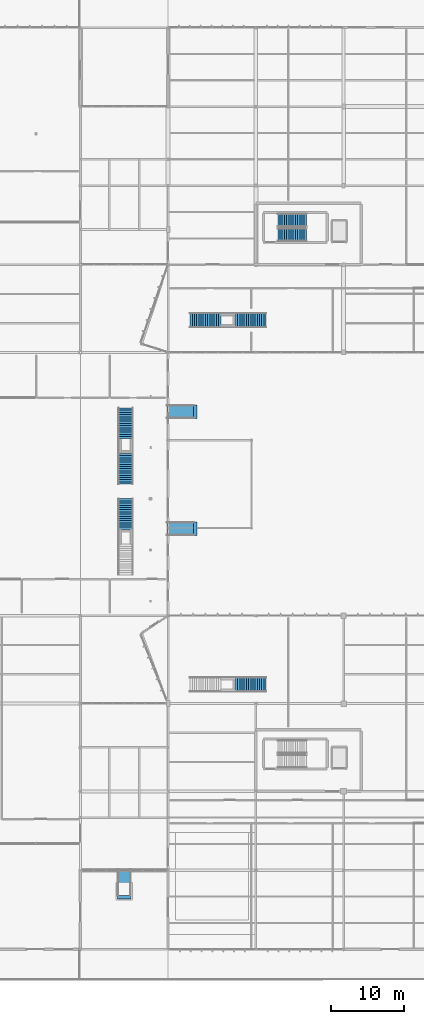
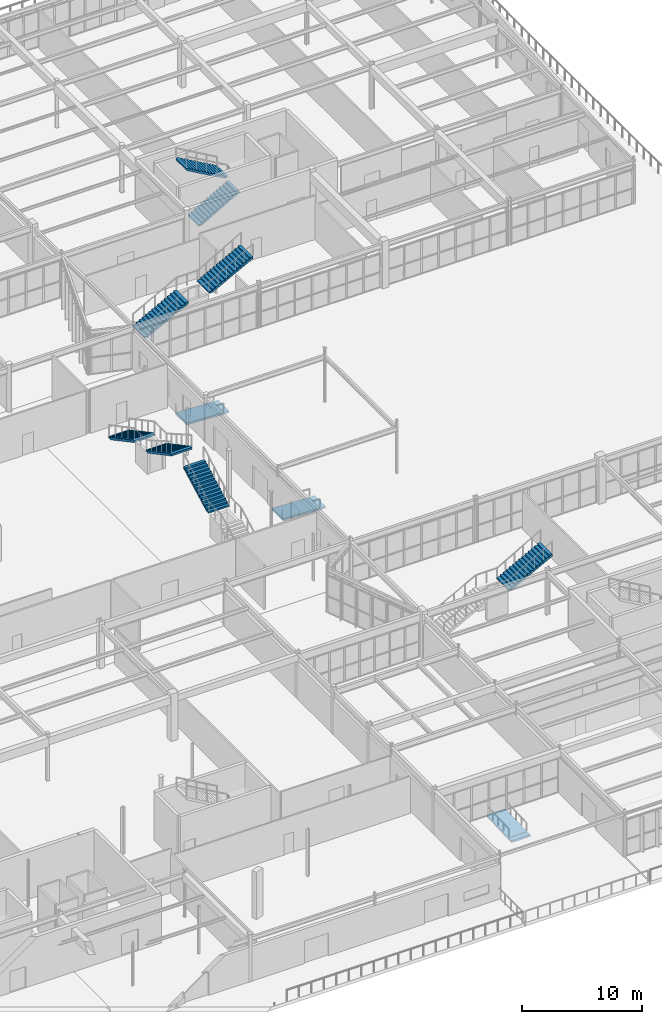
# One storey, part 175 of 199: 8 stair flights, 3 ramps, 3 ramp flights, 5 elements without a shape of their own.
"""IFC4 building model written with IfcOpenShell, lengths in metres."""

from ifc_helpers import new_model, si_unit, direction, frame, origin, origin_2d, place, context, subcontext, project, spatial, polyline, rectangle, outline, extrude, material, layer, layer_set, type_object, element, aggregate, save


model = new_model("IFC4")

# Units and contexts
model_context = context("Model", 3, precision=1e-05, world=origin(), true_north=direction((0.0, 1.0)))
body_context = subcontext(model_context, "Body", "Model", "MODEL_VIEW")
ifc_project = project(units=[si_unit("LENGTHUNIT", "METRE"), si_unit("AREAUNIT", "SQUARE_METRE"), si_unit("VOLUMEUNIT", "CUBIC_METRE"), si_unit("PLANEANGLEUNIT", "RADIAN"), si_unit("MASSUNIT", "GRAM", prefix="KILO")], contexts=[model_context])

# Site, building, storey
site_placement = place(None, origin())
site = spatial("IfcSite", under=ifc_project, at=site_placement, CompositionType="ELEMENT")
building_placement = place(site_placement, origin())
building = spatial("IfcBuilding", under=site, at=building_placement, Name="Tarnwether General Hospital", CompositionType="ELEMENT")
storey_placement = place(building_placement, origin())
storey = spatial("IfcBuildingStorey", under=building, at=storey_placement, Name="L00", CompositionType="ELEMENT", Elevation=0.0)

# Stair, stair flights
ifc_material_1 = material(Name="Concrete 40 MPa", Category="concrete")
stair_type_1 = type_object("IfcStairType", Name="ST-DL48B", PredefinedType="HALF_TURN_STAIR", material=ifc_material_1)
stair_1_placement = place(storey_placement, origin())
stair_1 = element("IfcStair", 1, at=stair_1_placement, inside=storey, type_object=stair_type_1, Name="L00 Exit Stair ST-06", PredefinedType="HALF_TURN_STAIR")
ifc_material_2 = material(Name="Concrete 40 MPa", Category="concrete")
stair_flight_type_1 = type_object("IfcStairFlightType", Name="SF-48B", PredefinedType="STRAIGHT", material=ifc_material_2)
stair_flight_1_placement = place(storey_placement, frame((159.0, 97.699951171875, 0.0), z_axis=(0.0, 0.0, 1.0), x_axis=(1.0, 0.0, 0.0)))
stair_flight_1 = element("IfcStairFlight", 2, at=stair_flight_1_placement, type_object=stair_flight_type_1, Name="ST-06 flight 1", NumberOfRisers=14, NumberOfTreads=13, PredefinedType="STRAIGHT", RiserHeight=0.171428571, TreadLength=0.3, context=body_context, shape_type="SweptSolid", body=[
    extrude(outline(polyline([(0.0, 0.0), (0.0, 0.17138671875), (0.300048828125, 0.17138671875), (0.300048828125, 0.3427734375), (0.60009765625, 0.3427734375), (0.60009765625, 0.514404296875), (0.89990234375, 0.514404296875), (0.89990234375, 0.685791015625), (1.199951171875, 0.685791015625), (1.199951171875, 0.857177734375), (1.5, 0.857177734375), (1.5, 1.028564453125), (1.800048828125, 1.028564453125), (1.800048828125, 1.199951171875), (2.10009765625, 1.199951171875), (2.10009765625, 1.371337890625), (2.39990234375, 1.371337890625), (2.39990234375, 1.54296875), (2.699951171875, 1.54296875), (2.699951171875, 1.71435546875), (3.0, 1.71435546875), (3.0, 1.8857421875), (3.300048828125, 1.8857421875), (3.300048828125, 2.05712890625), (3.60009765625, 2.05712890625), (3.60009765625, 2.228515625), (3.89990234375, 2.228515625), (3.89990234375, 2.39990234375), (3.89990234375, 2.055908203125), (0.30224609375, 0.0), (0.0, 0.0)])), frame((0.0, 0.89990234375, 0.0), z_axis=(0.0, -1.0, 0.0), x_axis=(1.0, 0.0, 0.0)), (0.0, 0.0, 1.0), 1.800048828125),
])
stair_flight_2_placement = place(storey_placement, frame((162.89990234375, 99.699951171875, 2.39990234375), z_axis=(0.0, 0.0, 1.0), x_axis=(-1.0, 0.0, 0.0)))
stair_flight_2 = element("IfcStairFlight", 3, at=stair_flight_2_placement, type_object=stair_flight_type_1, Name="ST-06 flight 2", NumberOfRisers=14, NumberOfTreads=13, PredefinedType="STRAIGHT", RiserHeight=0.171428571, TreadLength=0.3, context=body_context, shape_type="SweptSolid", body=[
    extrude(outline(polyline([(0.0, 0.0), (0.0, 0.17138671875), (0.300048828125, 0.17138671875), (0.300048828125, 0.3427734375), (0.60009765625, 0.3427734375), (0.60009765625, 0.514404296875), (0.89990234375, 0.514404296875), (0.89990234375, 0.685791015625), (1.199951171875, 0.685791015625), (1.199951171875, 0.857177734375), (1.5, 0.857177734375), (1.5, 1.028564453125), (1.800048828125, 1.028564453125), (1.800048828125, 1.199951171875), (2.10009765625, 1.199951171875), (2.10009765625, 1.371337890625), (2.39990234375, 1.371337890625), (2.39990234375, 1.54296875), (2.699951171875, 1.54296875), (2.699951171875, 1.71435546875), (3.0, 1.71435546875), (3.0, 1.8857421875), (3.300048828125, 1.8857421875), (3.300048828125, 2.05712890625), (3.60009765625, 2.05712890625), (3.60009765625, 2.228515625), (3.89990234375, 2.228515625), (3.89990234375, 2.39990234375), (3.89990234375, 2.055908203125), (0.30224609375, 0.0), (0.0, 0.0)])), frame((0.0, 0.89990234375, 0.0), z_axis=(0.0, -1.0, 0.0), x_axis=(1.0, 0.0, 0.0)), (0.0, 0.0, 1.0), 1.800048828125),
])
aggregate(stair_1, [stair_flight_1, stair_flight_2])

# Stair, stair flight
ifc_material_3 = material(Name="Concrete 40 MPa", Category="concrete")
stair_type_2 = type_object("IfcStairType", Name="ST-SR48", PredefinedType="STRAIGHT_RUN_STAIR", material=ifc_material_3)
stair_2_placement = place(storey_placement, origin())
stair_2 = element("IfcStair", 4, at=stair_2_placement, inside=storey, type_object=stair_type_2, Name="Feature Straight Stair ST-11", PredefinedType="STRAIGHT_RUN_STAIR")
ifc_material_4 = material(Name="Concrete 40 MPa", Category="concrete")
stair_flight_type_2 = type_object("IfcStairFlightType", Name="SF-SR48", PredefinedType="STRAIGHT", material=ifc_material_4)
stair_flight_3_placement = place(storey_placement, frame((138.199951171875, 57.39990234375, 2.39990234375), z_axis=(0.0, 0.0, 1.0), x_axis=(0.0, 1.0, 0.0)))
stair_flight_3 = element("IfcStairFlight", 5, at=stair_flight_3_placement, type_object=stair_flight_type_2, Name="ST-11 flight 2", NumberOfRisers=15, NumberOfTreads=14, PredefinedType="STRAIGHT", RiserHeight=0.16, TreadLength=0.3, context=body_context, shape_type="SweptSolid", body=[
    extrude(outline(polyline([(0.0, 0.0), (0.0, 0.159912109375), (0.300048828125, 0.159912109375), (0.300048828125, 0.320068359375), (0.60009765625, 0.320068359375), (0.60009765625, 0.47998046875), (0.89990234375, 0.47998046875), (0.89990234375, 0.639892578125), (1.199951171875, 0.639892578125), (1.199951171875, 0.800048828125), (1.5, 0.800048828125), (1.5, 0.9599609375), (1.800048828125, 0.9599609375), (1.800048828125, 1.1201171875), (2.10009765625, 1.1201171875), (2.10009765625, 1.280029296875), (2.39990234375, 1.280029296875), (2.39990234375, 1.43994140625), (2.699951171875, 1.43994140625), (2.699951171875, 1.60009765625), (3.0, 1.60009765625), (3.0, 1.760009765625), (3.300048828125, 1.760009765625), (3.300048828125, 1.919921875), (3.60009765625, 1.919921875), (3.60009765625, 2.080078125), (3.89990234375, 2.080078125), (3.89990234375, 2.239990234375), (4.199951171875, 2.239990234375), (4.199951171875, 2.39990234375), (4.199951171875, 2.058837890625), (0.33984375, 0.0), (0.0, 0.0)])), frame((0.0, 1.0, 0.0), z_axis=(0.0, -1.0, 0.0), x_axis=(1.0, 0.0, 0.0)), (0.0, 0.0, 1.0), 2.0),
])
aggregate(stair_2, [stair_flight_3])

# Stair, stair flights
stair_3_placement = place(storey_placement, origin())
stair_3 = element("IfcStair", 6, at=stair_3_placement, inside=storey, type_object=stair_type_2, Name="Feature Straight Stair ST-12", PredefinedType="STRAIGHT_RUN_STAIR")
stair_flight_4_placement = place(storey_placement, frame((138.199951171875, 74.0, 0.0), z_axis=(0.0, 0.0, 1.0), x_axis=(0.0, -1.0, 0.0)))
stair_flight_4 = element("IfcStairFlight", 7, at=stair_flight_4_placement, type_object=stair_flight_type_2, Name="ST-12 flight 1", NumberOfRisers=15, NumberOfTreads=14, PredefinedType="STRAIGHT", RiserHeight=0.16, TreadLength=0.3, context=body_context, shape_type="SweptSolid", body=[
    extrude(outline(polyline([(0.0, 0.0), (0.0, 0.159912109375), (0.300048828125, 0.159912109375), (0.300048828125, 0.320068359375), (0.60009765625, 0.320068359375), (0.60009765625, 0.47998046875), (0.89990234375, 0.47998046875), (0.89990234375, 0.639892578125), (1.199951171875, 0.639892578125), (1.199951171875, 0.800048828125), (1.5, 0.800048828125), (1.5, 0.9599609375), (1.800048828125, 0.9599609375), (1.800048828125, 1.1201171875), (2.10009765625, 1.1201171875), (2.10009765625, 1.280029296875), (2.39990234375, 1.280029296875), (2.39990234375, 1.43994140625), (2.699951171875, 1.43994140625), (2.699951171875, 1.60009765625), (3.0, 1.60009765625), (3.0, 1.760009765625), (3.300048828125, 1.760009765625), (3.300048828125, 1.919921875), (3.60009765625, 1.919921875), (3.60009765625, 2.080078125), (3.89990234375, 2.080078125), (3.89990234375, 2.239990234375), (4.199951171875, 2.239990234375), (4.199951171875, 2.39990234375), (4.199951171875, 2.058837890625), (0.33984375, 0.0), (0.0, 0.0)])), frame((0.0, 1.0, 0.0), z_axis=(0.0, -1.0, 0.0), x_axis=(1.0, 0.0, 0.0)), (0.0, 0.0, 1.0), 2.0),
])
stair_flight_5_placement = place(storey_placement, frame((138.199951171875, 67.800048828125, 2.39990234375), z_axis=(0.0, 0.0, 1.0), x_axis=(0.0, -1.0, 0.0)))
stair_flight_5 = element("IfcStairFlight", 8, at=stair_flight_5_placement, type_object=stair_flight_type_2, Name="ST-12 flight 2", NumberOfRisers=15, NumberOfTreads=14, PredefinedType="STRAIGHT", RiserHeight=0.16, TreadLength=0.3, context=body_context, shape_type="SweptSolid", body=[
    extrude(outline(polyline([(0.0, 0.0), (0.0, 0.159912109375), (0.300048828125, 0.159912109375), (0.300048828125, 0.320068359375), (0.60009765625, 0.320068359375), (0.60009765625, 0.47998046875), (0.89990234375, 0.47998046875), (0.89990234375, 0.639892578125), (1.199951171875, 0.639892578125), (1.199951171875, 0.800048828125), (1.5, 0.800048828125), (1.5, 0.9599609375), (1.800048828125, 0.9599609375), (1.800048828125, 1.1201171875), (2.10009765625, 1.1201171875), (2.10009765625, 1.280029296875), (2.39990234375, 1.280029296875), (2.39990234375, 1.43994140625), (2.699951171875, 1.43994140625), (2.699951171875, 1.60009765625), (3.0, 1.60009765625), (3.0, 1.760009765625), (3.300048828125, 1.760009765625), (3.300048828125, 1.919921875), (3.60009765625, 1.919921875), (3.60009765625, 2.080078125), (3.89990234375, 2.080078125), (3.89990234375, 2.239990234375), (4.199951171875, 2.239990234375), (4.199951171875, 2.39990234375), (4.199951171875, 2.058837890625), (0.33984375, 0.0), (0.0, 0.0)])), frame((0.0, 1.0, 0.0), z_axis=(0.0, -1.0, 0.0), x_axis=(1.0, 0.0, 0.0)), (0.0, 0.0, 1.0), 2.0),
])
aggregate(stair_3, [stair_flight_4, stair_flight_5])

# Stair, stair flight
stair_4_placement = place(storey_placement, origin())
stair_4 = element("IfcStair", 9, at=stair_4_placement, inside=storey, type_object=stair_type_2, Name="Feature Straight Stair ST-13", PredefinedType="STRAIGHT_RUN_STAIR")
stair_flight_6_placement = place(storey_placement, frame((153.199951171875, 36.199951171875, 2.39990234375), z_axis=(0.0, 0.0, 1.0), x_axis=(1.0, 0.0, 0.0)))
stair_flight_6 = element("IfcStairFlight", 10, at=stair_flight_6_placement, type_object=stair_flight_type_2, Name="ST-13 flight 2", NumberOfRisers=15, NumberOfTreads=14, PredefinedType="STRAIGHT", RiserHeight=0.16, TreadLength=0.3, context=body_context, shape_type="SweptSolid", body=[
    extrude(outline(polyline([(0.0, 0.0), (0.0, 0.159912109375), (0.300048828125, 0.159912109375), (0.300048828125, 0.320068359375), (0.60009765625, 0.320068359375), (0.60009765625, 0.47998046875), (0.89990234375, 0.47998046875), (0.89990234375, 0.639892578125), (1.199951171875, 0.639892578125), (1.199951171875, 0.800048828125), (1.5, 0.800048828125), (1.5, 0.9599609375), (1.800048828125, 0.9599609375), (1.800048828125, 1.1201171875), (2.10009765625, 1.1201171875), (2.10009765625, 1.280029296875), (2.39990234375, 1.280029296875), (2.39990234375, 1.43994140625), (2.699951171875, 1.43994140625), (2.699951171875, 1.60009765625), (3.0, 1.60009765625), (3.0, 1.760009765625), (3.300048828125, 1.760009765625), (3.300048828125, 1.919921875), (3.60009765625, 1.919921875), (3.60009765625, 2.080078125), (3.89990234375, 2.080078125), (3.89990234375, 2.239990234375), (4.199951171875, 2.239990234375), (4.199951171875, 2.39990234375), (4.199951171875, 2.058837890625), (0.33984375, 0.0), (0.0, 0.0)])), frame((0.0, 1.0, 0.0), z_axis=(0.0, -1.0, 0.0), x_axis=(1.0, 0.0, 0.0)), (0.0, 0.0, 1.0), 2.0),
])
aggregate(stair_4, [stair_flight_6])

# Stair, stair flights
stair_5_placement = place(storey_placement, origin())
stair_5 = element("IfcStair", 11, at=stair_5_placement, inside=storey, type_object=stair_type_2, Name="Feature Straight Stair ST-14", PredefinedType="STRAIGHT_RUN_STAIR")
stair_flight_7_placement = place(storey_placement, frame((147.0, 86.0, 0.0), z_axis=(0.0, 0.0, 1.0), x_axis=(1.0, 0.0, 0.0)))
stair_flight_7 = element("IfcStairFlight", 12, at=stair_flight_7_placement, type_object=stair_flight_type_2, Name="ST-14 flight 1", NumberOfRisers=15, NumberOfTreads=14, PredefinedType="STRAIGHT", RiserHeight=0.16, TreadLength=0.3, context=body_context, shape_type="SweptSolid", body=[
    extrude(outline(polyline([(0.0, 0.0), (0.0, 0.159912109375), (0.300048828125, 0.159912109375), (0.300048828125, 0.320068359375), (0.60009765625, 0.320068359375), (0.60009765625, 0.47998046875), (0.89990234375, 0.47998046875), (0.89990234375, 0.639892578125), (1.199951171875, 0.639892578125), (1.199951171875, 0.800048828125), (1.5, 0.800048828125), (1.5, 0.9599609375), (1.800048828125, 0.9599609375), (1.800048828125, 1.1201171875), (2.10009765625, 1.1201171875), (2.10009765625, 1.280029296875), (2.39990234375, 1.280029296875), (2.39990234375, 1.43994140625), (2.699951171875, 1.43994140625), (2.699951171875, 1.60009765625), (3.0, 1.60009765625), (3.0, 1.760009765625), (3.300048828125, 1.760009765625), (3.300048828125, 1.919921875), (3.60009765625, 1.919921875), (3.60009765625, 2.080078125), (3.89990234375, 2.080078125), (3.89990234375, 2.239990234375), (4.199951171875, 2.239990234375), (4.199951171875, 2.39990234375), (4.199951171875, 2.058837890625), (0.33984375, 0.0), (0.0, 0.0)])), frame((0.0, 1.0, 0.0), z_axis=(0.0, -1.0, 0.0), x_axis=(1.0, 0.0, 0.0)), (0.0, 0.0, 1.0), 2.0),
])
stair_flight_8_placement = place(storey_placement, frame((153.199951171875, 86.0, 2.39990234375), z_axis=(0.0, 0.0, 1.0), x_axis=(1.0, 0.0, 0.0)))
stair_flight_8 = element("IfcStairFlight", 13, at=stair_flight_8_placement, type_object=stair_flight_type_2, Name="ST-14 flight 2", NumberOfRisers=15, NumberOfTreads=14, PredefinedType="STRAIGHT", RiserHeight=0.16, TreadLength=0.3, context=body_context, shape_type="SweptSolid", body=[
    extrude(outline(polyline([(0.0, 0.0), (0.0, 0.159912109375), (0.300048828125, 0.159912109375), (0.300048828125, 0.320068359375), (0.60009765625, 0.320068359375), (0.60009765625, 0.47998046875), (0.89990234375, 0.47998046875), (0.89990234375, 0.639892578125), (1.199951171875, 0.639892578125), (1.199951171875, 0.800048828125), (1.5, 0.800048828125), (1.5, 0.9599609375), (1.800048828125, 0.9599609375), (1.800048828125, 1.1201171875), (2.10009765625, 1.1201171875), (2.10009765625, 1.280029296875), (2.39990234375, 1.280029296875), (2.39990234375, 1.43994140625), (2.699951171875, 1.43994140625), (2.699951171875, 1.60009765625), (3.0, 1.60009765625), (3.0, 1.760009765625), (3.300048828125, 1.760009765625), (3.300048828125, 1.919921875), (3.60009765625, 1.919921875), (3.60009765625, 2.080078125), (3.89990234375, 2.080078125), (3.89990234375, 2.239990234375), (4.199951171875, 2.239990234375), (4.199951171875, 2.39990234375), (4.199951171875, 2.058837890625), (0.33984375, 0.0), (0.0, 0.0)])), frame((0.0, 1.0, 0.0), z_axis=(0.0, -1.0, 0.0), x_axis=(1.0, 0.0, 0.0)), (0.0, 0.0, 1.0), 2.0),
])
aggregate(stair_5, [stair_flight_7, stair_flight_8])

# Ramp flight
ifc_material_5 = material(Name="Concrete 40 MPa", Category="concrete")
ifc_layer = layer(ifc_material_5, 0.199951171875)
ifc_layer_set = layer_set([ifc_layer], Name="Concrete 40 MPa")
ramp_flight_type = type_object("IfcRampFlightType", Name="RF-ACC-01", PredefinedType="STRAIGHT", material=ifc_layer_set)
ramp_flight_1_placement = place(storey_placement, frame((147.449951171875, 58.39990234375, -0.14990234375), z_axis=(0.041605178409, 0.0, 0.999134129699), x_axis=(-0.999134129699, 0.0, 0.041605178409)))
ramp_flight_1 = element("IfcRampFlight", 14, at=ramp_flight_1_placement, type_object=ramp_flight_type, Name="Accessible Ramp Flight RMP-03", PredefinedType="STRAIGHT", context=body_context, shape_type="SweptSolid", body=[
    extrude(outline(polyline([(0.0, 0.0), (3.602973223133835, 0.0), (3.602973223133835, 1.7998046875), (0.0, 1.7998046875), (0.0, 0.0)])), origin(), (0.0, 0.0, -1.0), 0.199951171875),
])

ramp_flight_2_placement = place(storey_placement, frame((147.449951171875, 74.39990234375, -0.14990234375), z_axis=(0.041605178409, 0.0, 0.999134129699), x_axis=(-0.999134129699, 0.0, 0.041605178409)))
ramp_flight_2 = element("IfcRampFlight", 15, at=ramp_flight_2_placement, type_object=ramp_flight_type, Name="Accessible Ramp Flight RMP-04", PredefinedType="STRAIGHT", context=body_context, shape_type="SweptSolid", body=[
    extrude(outline(polyline([(0.0, 0.0), (3.602973223133835, 0.0), (3.602973223133835, 1.7998046875), (0.0, 1.7998046875), (0.0, 0.0)])), origin(), (0.0, 0.0, -1.0), 0.199951171875),
])

ramp_flight_3_placement = place(storey_placement, frame((138.89990234375, 7.35009765625, -0.14990234375), z_axis=(0.0, -0.041605178409, 0.999134129699), x_axis=(0.0, 0.999134129699, 0.041605178409)))
ramp_flight_3 = element("IfcRampFlight", 16, at=ramp_flight_3_placement, type_object=ramp_flight_type, Name="Accessible Ramp Flight RMP-05", PredefinedType="STRAIGHT", context=body_context, shape_type="SweptSolid", body=[
    extrude(outline(polyline([(0.0, 0.0), (3.602973223133835, 0.0), (3.602973223133835, 1.7998046875), (0.0, 1.7998046875), (0.0, 0.0)])), origin(), (0.0, 0.0, -1.0), 0.199951171875),
])

# Ramp
ifc_material_6 = material(Name="Concrete 40 MPa", Category="concrete")
ramp_type = type_object("IfcRampType", Name="RM-ACC-01", PredefinedType="STRAIGHT_RUN_RAMP", material=ifc_material_6)
ramp_1_placement = place(storey_placement, frame((147.699951171875, 57.5, -0.35009765625), z_axis=(0.0, 0.0, 1.0), x_axis=(-1.0, 0.0, 0.0)))
ramp_1 = element("IfcRamp", 17, at=ramp_1_placement, inside=storey, type_object=ramp_type, Name="Accessible Threshold Ramp RMP-03", PredefinedType="STRAIGHT_RUN_RAMP", context=body_context, shape_type="SweptSolid", body=[
    extrude(rectangle(XDim=0.5, YDim=1.800048828125, at=origin_2d()), origin(), (0.0, 0.0, 1.0), 0.199951171875),
])

aggregate(ramp_1, [ramp_flight_1])

ramp_2_placement = place(storey_placement, frame((147.699951171875, 73.5, -0.35009765625), z_axis=(0.0, 0.0, 1.0), x_axis=(-1.0, 0.0, 0.0)))
ramp_2 = element("IfcRamp", 18, at=ramp_2_placement, inside=storey, type_object=ramp_type, Name="Accessible Threshold Ramp RMP-04", PredefinedType="STRAIGHT_RUN_RAMP", context=body_context, shape_type="SweptSolid", body=[
    extrude(rectangle(XDim=0.5, YDim=1.800048828125, at=origin_2d()), origin(), (0.0, 0.0, 1.0), 0.199951171875),
])

aggregate(ramp_2, [ramp_flight_2])

ramp_3_placement = place(storey_placement, frame((138.0, 7.10009765625, -0.35009765625), z_axis=(0.0, 0.0, 1.0), x_axis=(0.0, 1.0, 0.0)))
ramp_3 = element("IfcRamp", 19, at=ramp_3_placement, inside=storey, type_object=ramp_type, Name="Accessible Threshold Ramp RMP-05", PredefinedType="STRAIGHT_RUN_RAMP", context=body_context, shape_type="SweptSolid", body=[
    extrude(rectangle(XDim=0.5, YDim=1.800048828125, at=origin_2d()), origin(), (0.0, 0.0, 1.0), 0.199951171875),
])

aggregate(ramp_3, [ramp_flight_3])

save(model, "model.ifc")
